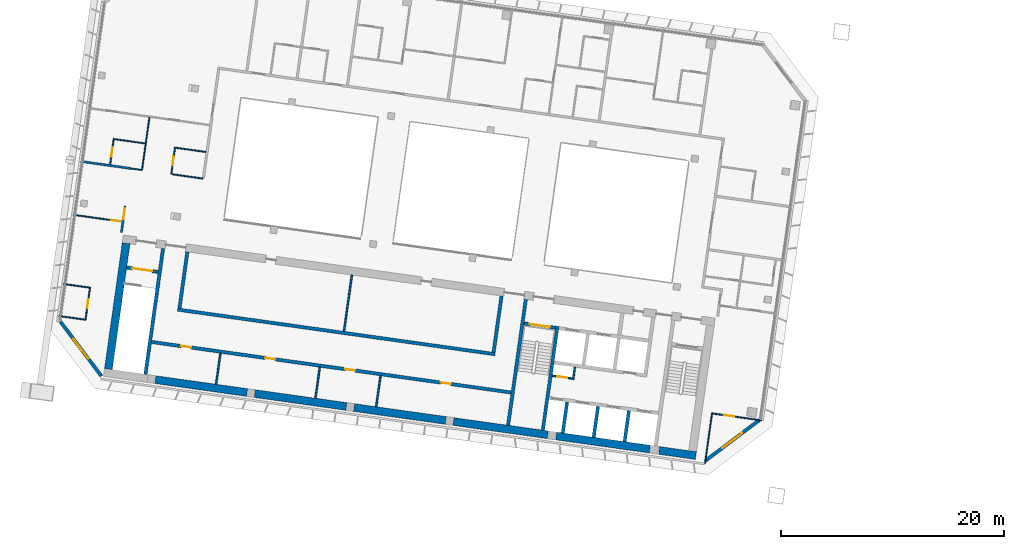
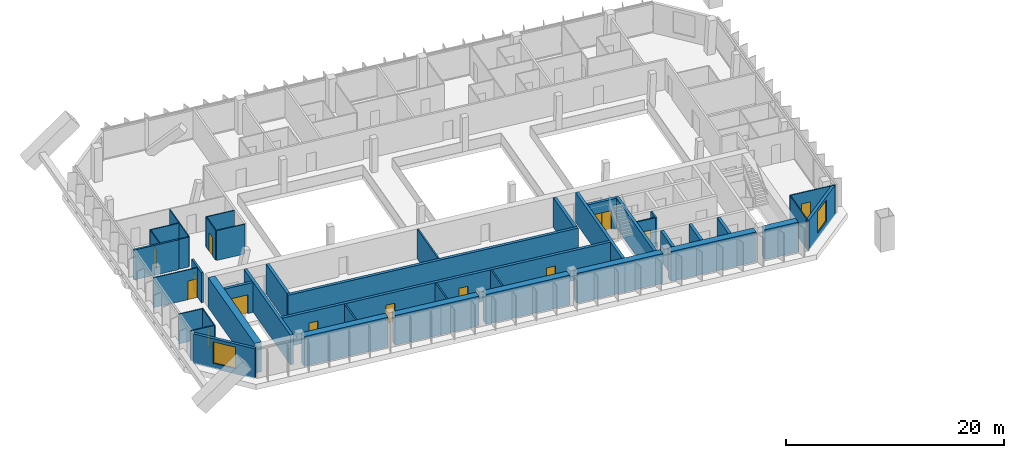
# One storey, part 17 of 32: 42 walls, 13 doors, 2 windows, 15 openings.
"""IFC4 building model written with IfcOpenShell, lengths in metres."""

from ifc_helpers import new_model, si_unit, direction, frame, frame_2d, origin, place, context, subcontext, project, spatial, rectangle, extrude, material, layer, layer_set, type_object, element, fill, save


model = new_model("IFC4")

# Units and contexts
model_context = context("Model", 3, precision=1e-05, world=origin(), true_north=direction((0.0, 1.0)))
body_context = subcontext(model_context, "Body", "Model", "MODEL_VIEW")
ifc_project = project(units=[si_unit("LENGTHUNIT", "METRE"), si_unit("AREAUNIT", "SQUARE_METRE"), si_unit("VOLUMEUNIT", "CUBIC_METRE"), si_unit("PLANEANGLEUNIT", "RADIAN"), si_unit("MASSUNIT", "GRAM", prefix="KILO")], contexts=[model_context])

# Site, building, storey
site_placement = place(None, origin())
site = spatial("IfcSite", under=ifc_project, at=site_placement, CompositionType="ELEMENT")
building_placement = place(site_placement, origin())
building = spatial("IfcBuilding", under=site, at=building_placement, Name="Mirante Cascada Hotel Towers", CompositionType="ELEMENT")
storey_placement = place(building_placement, frame((0.0, 0.0, 176.4)))
storey = spatial("IfcBuildingStorey", under=building, at=storey_placement, Name="L41", CompositionType="ELEMENT", Elevation=176.4)

# Wall
ifc_material_1 = material(Name="Fire-rated plasterboard on metal studs")
ifc_layer_1 = layer(ifc_material_1, 0.2)
ifc_layer_set_1 = layer_set([ifc_layer_1], Name="Compartment wall 200 EI 120")
wall_type_1 = type_object("IfcWallType", Name="Compartment wall 200 EI 120", PredefinedType="PARTITIONING", material=ifc_layer_set_1)
wall_1_placement = place(storey_placement, frame((-92.3869, 6.7679, 0.0), z_axis=(0.0, 0.0, 1.0), x_axis=(0.9902674, -0.1391779, 0.0)))
element("IfcWall", 1, at=wall_1_placement, inside=storey, type_object=wall_type_1, Name="Wall 1-L41-11", PredefinedType="PARTITIONING", context=body_context, shape_type="SweptSolid", body=[
    extrude(rectangle(XDim=4.5, YDim=0.2, at=frame_2d((2.25, 0.0))), origin(), (0.0, 0.0, 1.0), 3.35),
])

# Wall, opening, door
wall_2_placement = place(storey_placement, frame((-88.4039, 2.7747, 0.0), z_axis=(0.0, 0.0, 1.0), x_axis=(-0.1391693, -0.9902686, 0.0)))
wall_2 = element("IfcWall", 2, at=wall_2_placement, inside=storey, type_object=wall_type_1, Name="Wall 1-L41-55", PredefinedType="PARTITIONING", context=body_context, shape_type="SweptSolid", body=[
    extrude(rectangle(XDim=2.4, YDim=0.2, at=frame_2d((1.2, 0.0))), origin(), (0.0, 0.0, 1.0), 3.35),
])
opening_1_placement = place(wall_2_placement, frame((0.2167, 0.0, 0.0)))
opening_1 = element("IfcOpeningElement", 3, at=opening_1_placement, cuts=wall_2, Name="Opening D1-L41-34", PredefinedType="OPENING", context=body_context, shape_type="SweptSolid", body=[
    extrude(rectangle(XDim=1.0, YDim=2.1, at=frame_2d((0.5, 1.05))), frame((0.0, 0.1, 0.0), z_axis=(0.0, -1.0, 0.0), x_axis=(1.0, 0.0, 0.0)), (0.0, 0.0, 1.0), 0.2),
])
ifc_material_2 = material(Name="Fire-rated timber door leaf", Category="wood")
door_type_1 = type_object("IfcDoorType", Name="Entrance door DG1 1000x2100 EI 60", OperationType="SINGLE_SWING_LEFT", PredefinedType="DOOR", material=ifc_material_2)
door_1_placement = place(opening_1_placement, frame((1.0, 0.0, 0.0), z_axis=(0.0, 0.0, 1.0), x_axis=(-1.0, 0.0, 0.0)))
door_1 = element("IfcDoor", 4, at=door_1_placement, inside=storey, type_object=door_type_1, Name="Door D1-L41-34", OperationType="SINGLE_SWING_RIGHT", OverallHeight=2.1, OverallWidth=1.0, PredefinedType="DOOR", context=body_context, shape_type="SweptSolid", body=[
    extrude(rectangle(XDim=1.0, YDim=2.1, at=frame_2d((0.5, 1.05))), frame((0.0, 0.025, 0.0), z_axis=(0.0, -1.0, 0.0), x_axis=(1.0, 0.0, 0.0)), (0.0, 0.0, 1.0), 0.05),
])
fill(opening_1, door_1)

# Wall
ifc_material_3 = material(Name="Masonry block", Category="masonry")
ifc_layer_2 = layer(ifc_material_3, 0.15)
ifc_layer_set_2 = layer_set([ifc_layer_2], Name="Core room partition 150 block EI 30")
wall_type_2 = type_object("IfcWallType", Name="Core room partition 150 block EI 30", PredefinedType="PARTITIONING", material=ifc_layer_set_2)
wall_3_placement = place(storey_placement, frame((-48.2295, -12.793, 0.0), z_axis=(0.0, 0.0, 1.0), x_axis=(0.1391935, 0.9902652, 0.0)))
element("IfcWall", 5, at=wall_3_placement, inside=storey, type_object=wall_type_2, Name="Core wall partition T1 L41 2", PredefinedType="PARTITIONING", context=body_context, shape_type="SweptSolid", body=[
    extrude(rectangle(XDim=1.1251, YDim=0.15, at=frame_2d((0.5626, 0.0))), origin(), (0.0, 0.0, 1.0), 3.35),
])

# Wall, opening, door
wall_4_placement = place(storey_placement, frame((-48.2933, -12.7083, 0.0), z_axis=(0.0, 0.0, 1.0), x_axis=(-0.990268, 0.1391734, 0.0)))
wall_4 = element("IfcWall", 6, at=wall_4_placement, inside=storey, type_object=wall_type_2, Name="Core wall partition T1 L41 3", PredefinedType="PARTITIONING", context=body_context, shape_type="SweptSolid", body=[
    extrude(rectangle(XDim=1.8251, YDim=0.15, at=frame_2d((0.9126, 0.0))), origin(), (0.0, 0.0, 1.0), 3.35),
])
opening_2_placement = place(wall_4_placement, frame((0.4625, 0.0, 0.0)))
opening_2 = element("IfcOpeningElement", 7, at=opening_2_placement, cuts=wall_4, Name="Opening D1-41-C17", PredefinedType="OPENING", context=body_context, shape_type="SweptSolid", body=[
    extrude(rectangle(XDim=0.9, YDim=2.1, at=frame_2d((0.45, 1.05))), frame((0.0, 0.075, 0.0), z_axis=(0.0, -1.0, 0.0), x_axis=(1.0, 0.0, 0.0)), (0.0, 0.0, 1.0), 0.15),
])
ifc_material_4 = material(Name="Hollow metal fire door leaf")
door_type_2 = type_object("IfcDoorType", Name="Fire door 900x2100 FD60", OperationType="NOTDEFINED", PredefinedType="DOOR", material=ifc_material_4)
door_2_placement = place(opening_2_placement, origin())
door_2 = element("IfcDoor", 8, at=door_2_placement, inside=storey, type_object=door_type_2, Name="Riser door T1 L41 17", OperationType="SINGLE_SWING_LEFT", OverallHeight=2.1, OverallWidth=0.9, PredefinedType="DOOR", context=body_context, shape_type="SweptSolid", body=[
    extrude(rectangle(XDim=0.9, YDim=2.1, at=frame_2d((0.45, 1.05))), frame((0.0, 0.025, 0.0), z_axis=(0.0, -1.0, 0.0), x_axis=(1.0, 0.0, 0.0)), (0.0, 0.0, 1.0), 0.05),
])
fill(opening_2, door_2)

# Walls
for number, where, z_axis, x_axis, name in (
    (9, (-65.8911, -15.2337, 0.0), (0.0, 0.0, 1.0), (0.139181, 0.990267, 0.0), "Core wall partition T1 L41 5"),
    (10, (-71.3375, -14.4683, 0.0), (0.0, 0.0, 1.0), (0.139141, 0.9902726, 0.0), "Core wall partition T1 L41 6"),
    (11, (-80.25, -13.2157, 0.0), (0.0, 0.0, 1.0), (0.139181, 0.990267, 0.0), "Core wall partition T1 L41 7"),
):
    element("IfcWall", number, at=place(storey_placement, frame(where, z_axis=z_axis, x_axis=x_axis)), inside=storey, type_object=wall_type_2, Name=name, PredefinedType="PARTITIONING", context=body_context, shape_type="SweptSolid", body=[
        extrude(rectangle(XDim=2.8, YDim=0.15, at=frame_2d((1.4, 0.0))), origin(), (0.0, 0.0, 1.0), 3.35),
    ])
wall_5_placement = place(storey_placement, frame((-68.7773, -8.4662, 0.0), z_axis=(0.0, 0.0, 1.0), x_axis=(0.1391755, 0.9902677, 0.0)))
element("IfcWall", 12, at=wall_5_placement, inside=storey, type_object=wall_type_2, Name="Core wall partition T1 L41 8", PredefinedType="PARTITIONING", context=body_context, shape_type="SweptSolid", body=[
    extrude(rectangle(XDim=5.1, YDim=0.15, at=frame_2d((2.55, 0.0))), origin(), (0.0, 0.0, 1.0), 3.35),
])

# Wall, openings, doors
ifc_material_5 = material(Name="Masonry block", Category="masonry")
ifc_layer_3 = layer(ifc_material_5, 0.3)
ifc_layer_set_3 = layer_set([ifc_layer_3], Name="Core wall 300 block EI 120")
wall_type_3 = type_object("IfcWallType", Name="Core wall 300 block EI 120", PredefinedType="PARTITIONING", material=ifc_layer_set_3)
wall_6_placement = place(storey_placement, frame((-53.7953, -13.9547, 0.0), z_axis=(0.0, 0.0, 1.0), x_axis=(-0.990268, 0.1391733, 0.0)))
wall_6 = element("IfcWall", 13, at=wall_6_placement, inside=storey, type_object=wall_type_3, Name="Core wall partition T1 L41 4", PredefinedType="PARTITIONING", context=body_context, shape_type="SweptSolid", body=[
    extrude(rectangle(XDim=32.5501, YDim=0.3, at=frame_2d((16.275, 0.0))), origin(), (0.0, 0.0, 1.0), 3.35),
])
opening_3_placement = place(wall_6_placement, frame((5.45, 0.0, 0.0)))
opening_3 = element("IfcOpeningElement", 14, at=opening_3_placement, cuts=wall_6, Name="Opening D1-41-C19", PredefinedType="OPENING", context=body_context, shape_type="SweptSolid", body=[
    extrude(rectangle(XDim=0.9, YDim=2.1, at=frame_2d((0.45, 1.05))), frame((0.0, 0.15, 0.0), z_axis=(0.0, -1.0, 0.0), x_axis=(1.0, 0.0, 0.0)), (0.0, 0.0, 1.0), 0.3),
])
opening_4_placement = place(wall_6_placement, frame((14.1, 0.0, 0.0)))
opening_4 = element("IfcOpeningElement", 15, at=opening_4_placement, cuts=wall_6, Name="Opening D1-41-C20", PredefinedType="OPENING", context=body_context, shape_type="SweptSolid", body=[
    extrude(rectangle(XDim=0.9, YDim=2.1, at=frame_2d((0.45, 1.05))), frame((0.0, 0.15, 0.0), z_axis=(0.0, -1.0, 0.0), x_axis=(1.0, 0.0, 0.0)), (0.0, 0.0, 1.0), 0.3),
])
opening_5_placement = place(wall_6_placement, frame((21.35, 0.0, 0.0)))
opening_5 = element("IfcOpeningElement", 16, at=opening_5_placement, cuts=wall_6, Name="Opening D1-41-C21", PredefinedType="OPENING", context=body_context, shape_type="SweptSolid", body=[
    extrude(rectangle(XDim=0.9, YDim=2.1, at=frame_2d((0.45, 1.05))), frame((0.0, 0.15, 0.0), z_axis=(0.0, -1.0, 0.0), x_axis=(1.0, 0.0, 0.0)), (0.0, 0.0, 1.0), 0.3),
])
opening_6_placement = place(wall_6_placement, frame((28.975, 0.0, 0.0)))
opening_6 = element("IfcOpeningElement", 17, at=opening_6_placement, cuts=wall_6, Name="Opening D1-41-C22", PredefinedType="OPENING", context=body_context, shape_type="SweptSolid", body=[
    extrude(rectangle(XDim=0.9, YDim=2.1, at=frame_2d((0.45, 1.05))), frame((0.0, 0.15, 0.0), z_axis=(0.0, -1.0, 0.0), x_axis=(1.0, 0.0, 0.0)), (0.0, 0.0, 1.0), 0.3),
])
door_3_placement = place(opening_3_placement, origin())
door_3 = element("IfcDoor", 18, at=door_3_placement, inside=storey, type_object=door_type_2, Name="Room door T1 L41 19", OperationType="SINGLE_SWING_RIGHT", OverallHeight=2.1, OverallWidth=0.9, PredefinedType="DOOR", context=body_context, shape_type="SweptSolid", body=[
    extrude(rectangle(XDim=0.9, YDim=2.1, at=frame_2d((0.45, 1.05))), frame((0.0, 0.025, 0.0), z_axis=(0.0, -1.0, 0.0), x_axis=(1.0, 0.0, 0.0)), (0.0, 0.0, 1.0), 0.05),
])
fill(opening_3, door_3)
door_4_placement = place(opening_4_placement, origin())
door_4 = element("IfcDoor", 19, at=door_4_placement, inside=storey, type_object=door_type_2, Name="Room door T1 L41 20", OperationType="SINGLE_SWING_RIGHT", OverallHeight=2.1, OverallWidth=0.9, PredefinedType="DOOR", context=body_context, shape_type="SweptSolid", body=[
    extrude(rectangle(XDim=0.9, YDim=2.1, at=frame_2d((0.45, 1.05))), frame((0.0, 0.025, 0.0), z_axis=(0.0, -1.0, 0.0), x_axis=(1.0, 0.0, 0.0)), (0.0, 0.0, 1.0), 0.05),
])
fill(opening_4, door_4)
door_5_placement = place(opening_5_placement, origin())
door_5 = element("IfcDoor", 20, at=door_5_placement, inside=storey, type_object=door_type_2, Name="Room door T1 L41 21", OperationType="SINGLE_SWING_LEFT", OverallHeight=2.1, OverallWidth=0.9, PredefinedType="DOOR", context=body_context, shape_type="SweptSolid", body=[
    extrude(rectangle(XDim=0.9, YDim=2.1, at=frame_2d((0.45, 1.05))), frame((0.0, 0.025, 0.0), z_axis=(0.0, -1.0, 0.0), x_axis=(1.0, 0.0, 0.0)), (0.0, 0.0, 1.0), 0.05),
])
fill(opening_5, door_5)
door_6_placement = place(opening_6_placement, origin())
door_6 = element("IfcDoor", 21, at=door_6_placement, inside=storey, type_object=door_type_2, Name="Room door T1 L41 22", OperationType="SINGLE_SWING_LEFT", OverallHeight=2.1, OverallWidth=0.9, PredefinedType="DOOR", context=body_context, shape_type="SweptSolid", body=[
    extrude(rectangle(XDim=0.9, YDim=2.1, at=frame_2d((0.45, 1.05))), frame((0.0, 0.025, 0.0), z_axis=(0.0, -1.0, 0.0), x_axis=(1.0, 0.0, 0.0)), (0.0, 0.0, 1.0), 0.05),
])
fill(opening_6, door_6)

# Wall, opening, door
ifc_material_6 = material(Name="Plasterboard on metal studs")
ifc_layer_4 = layer(ifc_material_6, 0.1)
ifc_layer_set_4 = layer_set([ifc_layer_4], Name="Partition 100")
wall_type_4 = type_object("IfcWallType", Name="Partition 100", PredefinedType="PARTITIONING", material=ifc_layer_set_4)
wall_7_placement = place(storey_placement, frame((-35.8204, -15.8245, 0.0), z_axis=(0.0, 0.0, 1.0), x_axis=(0.9902691, -0.1391656, 0.0)))
wall_7 = element("IfcWall", 22, at=wall_7_placement, inside=storey, type_object=wall_type_4, Name="Wall 1-L41-01", PredefinedType="PARTITIONING", context=body_context, shape_type="SweptSolid", body=[
    extrude(rectangle(XDim=4.55, YDim=0.1, at=frame_2d((2.275, 0.0))), origin(), (0.0, 0.0, 1.0), 3.35),
])
opening_7_placement = place(wall_7_placement, frame((1.1759, 0.0, 0.0)))
opening_7 = element("IfcOpeningElement", 23, at=opening_7_placement, cuts=wall_7, Name="Opening D1-L41-01", PredefinedType="OPENING", context=body_context, shape_type="SweptSolid", body=[
    extrude(rectangle(XDim=0.9, YDim=2.1, at=frame_2d((0.45, 1.05))), frame((0.0, 0.05, 0.0), z_axis=(0.0, -1.0, 0.0), x_axis=(1.0, 0.0, 0.0)), (0.0, 0.0, 1.0), 0.1),
])
ifc_material_7 = material(Name="Timber door leaf", Category="wood")
door_type_3 = type_object("IfcDoorType", Name="Room door DG3 900x2100", OperationType="SINGLE_SWING_LEFT", PredefinedType="DOOR", material=ifc_material_7)
door_7_placement = place(opening_7_placement, origin())
door_7 = element("IfcDoor", 24, at=door_7_placement, inside=storey, type_object=door_type_3, Name="Door D1-L41-01", OperationType="SINGLE_SWING_LEFT", OverallHeight=2.1, OverallWidth=0.9, PredefinedType="DOOR", context=body_context, shape_type="SweptSolid", body=[
    extrude(rectangle(XDim=0.9, YDim=2.1, at=frame_2d((0.45, 1.05))), frame((0.0, 0.025, 0.0), z_axis=(0.0, -1.0, 0.0), x_axis=(1.0, 0.0, 0.0)), (0.0, 0.0, 1.0), 0.05),
])
fill(opening_7, door_7)

# Walls
for number, where, z_axis, x_axis, name in (
    (25, (-92.0082, -7.4229, 0.0), (0.0, 0.0, 1.0), (-0.9902653, 0.1391929, 0.0), "Wall 1-L41-02"),
    (26, (-93.9317, -4.2241, 0.0), (0.0, 0.0, 1.0), (0.9902712, -0.1391512, 0.0), "Wall 1-L41-03"),
):
    element("IfcWall", number, at=place(storey_placement, frame(where, z_axis=z_axis, x_axis=x_axis)), inside=storey, type_object=wall_type_4, Name=name, PredefinedType="PARTITIONING", context=body_context, shape_type="SweptSolid", body=[
        extrude(rectangle(XDim=2.35, YDim=0.1, at=frame_2d((1.175, 0.0))), origin(), (0.0, 0.0, 1.0), 3.35),
    ])

# Wall, opening, door
wall_8_placement = place(storey_placement, frame((-93.0596, 1.9816, 0.0), z_axis=(0.0, 0.0, 1.0), x_axis=(0.9902701, -0.1391587, 0.0)))
wall_8 = element("IfcWall", 27, at=wall_8_placement, inside=storey, type_object=wall_type_4, Name="Wall 1-L41-05", PredefinedType="PARTITIONING", context=body_context, shape_type="SweptSolid", body=[
    extrude(rectangle(XDim=4.4, YDim=0.1, at=frame_2d((2.2, 0.0))), origin(), (0.0, 0.0, 1.0), 3.35),
])
opening_8_placement = place(wall_8_placement, frame((3.45, 0.0, 0.0)))
opening_8 = element("IfcOpeningElement", 28, at=opening_8_placement, cuts=wall_8, Name="Opening D1-L41-04", PredefinedType="OPENING", context=body_context, shape_type="SweptSolid", body=[
    extrude(rectangle(XDim=0.9, YDim=2.1, at=frame_2d((0.45, 1.05))), frame((0.0, 0.05, 0.0), z_axis=(0.0, -1.0, 0.0), x_axis=(1.0, 0.0, 0.0)), (0.0, 0.0, 1.0), 0.1),
])
door_8_placement = place(opening_8_placement, frame((0.9, 0.0, 0.0), z_axis=(0.0, 0.0, 1.0), x_axis=(-1.0, 0.0, 0.0)))
door_8 = element("IfcDoor", 29, at=door_8_placement, inside=storey, type_object=door_type_3, Name="Door D1-L41-04", OperationType="SINGLE_SWING_RIGHT", OverallHeight=2.1, OverallWidth=0.9, PredefinedType="DOOR", context=body_context, shape_type="SweptSolid", body=[
    extrude(rectangle(XDim=0.9, YDim=2.1, at=frame_2d((0.45, 1.05))), frame((0.0, 0.025, 0.0), z_axis=(0.0, -1.0, 0.0), x_axis=(1.0, 0.0, 0.0)), (0.0, 0.0, 1.0), 0.05),
])
fill(opening_8, door_8)

# Walls
wall_9_placement = place(storey_placement, frame((-84.237, 5.6225, 0.0), z_axis=(0.0, 0.0, 1.0), x_axis=(0.9902708, -0.1391534, 0.0)))
element("IfcWall", 30, at=wall_9_placement, inside=storey, type_object=wall_type_4, Name="Wall 1-L41-09", PredefinedType="PARTITIONING", context=body_context, shape_type="SweptSolid", body=[
    extrude(rectangle(XDim=2.84, YDim=0.1, at=frame_2d((1.42, 0.0))), origin(), (0.0, 0.0, 1.0), 3.35),
])
wall_10_placement = place(storey_placement, frame((-86.9206, 5.9997, 0.0), z_axis=(0.0, 0.0, 1.0), x_axis=(-0.9902662, 0.1391867, 0.0)))
element("IfcWall", 31, at=wall_10_placement, inside=storey, type_object=wall_type_4, Name="Wall 1-L41-10", PredefinedType="PARTITIONING", context=body_context, shape_type="SweptSolid", body=[
    extrude(rectangle(XDim=0.99, YDim=0.1, at=frame_2d((0.495, 0.0))), origin(), (0.0, 0.0, 1.0), 3.35),
])
wall_11_placement = place(storey_placement, frame((-81.1599, 7.6136, 0.0), z_axis=(0.0, 0.0, 1.0), x_axis=(-0.9902656, 0.1391909, 0.0)))
element("IfcWall", 32, at=wall_11_placement, inside=storey, type_object=wall_type_4, Name="Wall 1-L41-12", PredefinedType="PARTITIONING", context=body_context, shape_type="SweptSolid", body=[
    extrude(rectangle(XDim=2.85, YDim=0.1, at=frame_2d((1.425, 0.0))), origin(), (0.0, 0.0, 1.0), 3.35),
])
wall_12_placement = place(storey_placement, frame((-89.4782, 8.7827, 0.0), z_axis=(0.0, 0.0, 1.0), x_axis=(0.9902683, -0.1391714, 0.0)))
element("IfcWall", 33, at=wall_12_placement, inside=storey, type_object=wall_type_4, Name="Wall 1-L41-13", PredefinedType="PARTITIONING", context=body_context, shape_type="SweptSolid", body=[
    extrude(rectangle(XDim=2.9, YDim=0.1, at=frame_2d((1.45, 0.0))), origin(), (0.0, 0.0, 1.0), 3.35),
])
wall_13_placement = place(storey_placement, frame((-36.3972, -20.2877, 0.0), z_axis=(0.0, 0.0, 1.0), x_axis=(0.1391684, 0.9902687, 0.0)))
element("IfcWall", 34, at=wall_13_placement, inside=storey, type_object=wall_type_4, Name="Wall 1-L41-32", PredefinedType="PARTITIONING", context=body_context, shape_type="SweptSolid", body=[
    extrude(rectangle(XDim=4.45, YDim=0.1, at=frame_2d((2.225, 0.0))), origin(), (0.0, 0.0, 1.0), 3.35),
])

# Wall, opening, door
wall_14_placement = place(storey_placement, frame((-83.9396, 7.9538, 0.0), z_axis=(0.0, 0.0, 1.0), x_axis=(-0.1391749, -0.9902678, 0.0)))
wall_14 = element("IfcWall", 35, at=wall_14_placement, inside=storey, type_object=wall_type_4, Name="Wall 1-L41-53", PredefinedType="PARTITIONING", context=body_context, shape_type="SweptSolid", body=[
    extrude(rectangle(XDim=2.3, YDim=0.1, at=frame_2d((1.15, 0.0))), origin(), (0.0, 0.0, 1.0), 3.35),
])
opening_9_placement = place(wall_14_placement, frame((0.75, 0.0, 0.0)))
opening_9 = element("IfcOpeningElement", 36, at=opening_9_placement, cuts=wall_14, Name="Opening D1-L41-33", PredefinedType="OPENING", context=body_context, shape_type="SweptSolid", body=[
    extrude(rectangle(XDim=0.8, YDim=2.1, at=frame_2d((0.4, 1.05))), frame((0.0, 0.05, 0.0), z_axis=(0.0, -1.0, 0.0), x_axis=(1.0, 0.0, 0.0)), (0.0, 0.0, 1.0), 0.1),
])
ifc_material_8 = material(Name="Timber door leaf", Category="wood")
door_type_4 = type_object("IfcDoorType", Name="Bathroom door DG4 800x2100", OperationType="SINGLE_SWING_LEFT", PredefinedType="DOOR", material=ifc_material_8)
door_9_placement = place(opening_9_placement, origin())
door_9 = element("IfcDoor", 37, at=door_9_placement, inside=storey, type_object=door_type_4, Name="Door D1-L41-33", OperationType="SINGLE_SWING_LEFT", OverallHeight=2.1, OverallWidth=0.8, PredefinedType="DOOR", context=body_context, shape_type="SweptSolid", body=[
    extrude(rectangle(XDim=0.8, YDim=2.1, at=frame_2d((0.4, 1.05))), frame((0.0, 0.025, 0.0), z_axis=(0.0, -1.0, 0.0), x_axis=(1.0, 0.0, 0.0)), (0.0, 0.0, 1.0), 0.05),
])
fill(opening_9, door_9)

# Wall
wall_15_placement = place(storey_placement, frame((-86.8839, 6.045, 0.0), z_axis=(0.0, 0.0, 1.0), x_axis=(0.1391642, 0.9902693, 0.0)))
element("IfcWall", 38, at=wall_15_placement, inside=storey, type_object=wall_type_4, Name="Wall 1-L41-54", PredefinedType="PARTITIONING", context=body_context, shape_type="SweptSolid", body=[
    extrude(rectangle(XDim=4.7333, YDim=0.1, at=frame_2d((2.3666, 0.0))), origin(), (0.0, 0.0, 1.0), 3.35),
])

# Wall, opening, door
wall_16_placement = place(storey_placement, frame((-89.7488, 6.4981, 0.0), z_axis=(0.0, 0.0, 1.0), x_axis=(0.1391997, 0.9902643, 0.0)))
wall_16 = element("IfcWall", 39, at=wall_16_placement, inside=storey, type_object=wall_type_4, Name="Wall 1-L41-56", PredefinedType="PARTITIONING", context=body_context, shape_type="SweptSolid", body=[
    extrude(rectangle(XDim=2.25, YDim=0.1, at=frame_2d((1.125, 0.0))), origin(), (0.0, 0.0, 1.0), 3.35),
])
opening_10_placement = place(wall_16_placement, frame((0.7, 0.0, 0.0)))
opening_10 = element("IfcOpeningElement", 40, at=opening_10_placement, cuts=wall_16, Name="Opening D1-L41-35", PredefinedType="OPENING", context=body_context, shape_type="SweptSolid", body=[
    extrude(rectangle(XDim=0.8, YDim=2.1, at=frame_2d((0.4, 1.05))), frame((0.0, 0.05, 0.0), z_axis=(0.0, -1.0, 0.0), x_axis=(1.0, 0.0, 0.0)), (0.0, 0.0, 1.0), 0.1),
])
door_10_placement = place(opening_10_placement, frame((0.8, 0.0, 0.0), z_axis=(0.0, 0.0, 1.0), x_axis=(-1.0, 0.0, 0.0)))
door_10 = element("IfcDoor", 41, at=door_10_placement, inside=storey, type_object=door_type_4, Name="Door D1-L41-35", OperationType="SINGLE_SWING_RIGHT", OverallHeight=2.1, OverallWidth=0.8, PredefinedType="DOOR", context=body_context, shape_type="SweptSolid", body=[
    extrude(rectangle(XDim=0.8, YDim=2.1, at=frame_2d((0.4, 1.05))), frame((0.0, 0.025, 0.0), z_axis=(0.0, -1.0, 0.0), x_axis=(1.0, 0.0, 0.0)), (0.0, 0.0, 1.0), 0.05),
])
fill(opening_10, door_10)

wall_17_placement = place(storey_placement, frame((-91.5481, -4.5086, 0.0), z_axis=(0.0, 0.0, 1.0), x_axis=(-0.139167, -0.9902689, 0.0)))
wall_17 = element("IfcWall", 42, at=wall_17_placement, inside=storey, type_object=wall_type_4, Name="Wall 1-L41-57", PredefinedType="PARTITIONING", context=body_context, shape_type="SweptSolid", body=[
    extrude(rectangle(XDim=3.0, YDim=0.1, at=frame_2d((1.5, 0.0))), origin(), (0.0, 0.0, 1.0), 3.35),
])
opening_11_placement = place(wall_17_placement, frame((1.1, 0.0, 0.0)))
opening_11 = element("IfcOpeningElement", 43, at=opening_11_placement, cuts=wall_17, Name="Opening D1-L41-36", PredefinedType="OPENING", context=body_context, shape_type="SweptSolid", body=[
    extrude(rectangle(XDim=0.8, YDim=2.1, at=frame_2d((0.4, 1.05))), frame((0.0, 0.05, 0.0), z_axis=(0.0, -1.0, 0.0), x_axis=(1.0, 0.0, 0.0)), (0.0, 0.0, 1.0), 0.1),
])
door_11_placement = place(opening_11_placement, origin())
door_11 = element("IfcDoor", 44, at=door_11_placement, inside=storey, type_object=door_type_4, Name="Door D1-L41-36", OperationType="SINGLE_SWING_LEFT", OverallHeight=2.1, OverallWidth=0.8, PredefinedType="DOOR", context=body_context, shape_type="SweptSolid", body=[
    extrude(rectangle(XDim=0.8, YDim=2.1, at=frame_2d((0.4, 1.05))), frame((0.0, 0.025, 0.0), z_axis=(0.0, -1.0, 0.0), x_axis=(1.0, 0.0, 0.0)), (0.0, 0.0, 1.0), 0.05),
])
fill(opening_11, door_11)

# Wall, opening, window
ifc_material_9 = material(Name="Precast concrete C40/50", Category="concrete")
ifc_layer_5 = layer(ifc_material_9, 0.3)
ifc_layer_set_5 = layer_set([ifc_layer_5], Name="Precast concrete C40/50 cladding wall 300")
wall_type_5 = type_object("IfcWallType", Name="Precast concrete C40/50 cladding wall 300", PredefinedType="STANDARD", material=ifc_layer_set_5)
wall_18_placement = place(storey_placement, frame((-90.5299, -12.4841, 0.0), z_axis=(0.0, 0.0, 1.0), x_axis=(-0.6018063, 0.7986421, 0.0)))
wall_18 = element("IfcWall", 45, at=wall_18_placement, inside=storey, type_object=wall_type_5, Name="Corner cladding wall T1 L41 rear outer", PredefinedType="STANDARD", context=body_context, shape_type="SweptSolid", body=[
    extrude(rectangle(XDim=6.1158, YDim=0.3, at=frame_2d((3.0579, 0.0))), origin(), (0.0, 0.0, 1.0), 3.35),
])
opening_12_placement = place(wall_18_placement, frame((1.9578, 0.0, 0.6)))
opening_12 = element("IfcOpeningElement", 46, at=opening_12_placement, cuts=wall_18, Name="Opening W1-41-01", PredefinedType="OPENING", context=body_context, shape_type="SweptSolid", body=[
    extrude(rectangle(XDim=2.2, YDim=2.4, at=frame_2d((1.1, 1.2))), frame((0.0, 0.15, 0.0), z_axis=(0.0, -1.0, 0.0), x_axis=(1.0, 0.0, 0.0)), (0.0, 0.0, 1.0), 0.3),
])
ifc_material_10 = material(Name="Aluminium frame with clear double glazing", Category="aluminium")
window_type = type_object("IfcWindowType", Name="Corner suite window 2200x2400", PartitioningType="DOUBLE_PANEL_VERTICAL", PredefinedType="WINDOW", material=ifc_material_10)
window_1_placement = place(opening_12_placement, origin())
window_1 = element("IfcWindow", 47, at=window_1_placement, inside=storey, type_object=window_type, Name="Window W1-41-01", OverallHeight=2.4, OverallWidth=2.2, PartitioningType="SINGLE_PANEL", PredefinedType="WINDOW", context=body_context, shape_type="SweptSolid", body=[
    extrude(rectangle(XDim=2.2, YDim=2.4, at=frame_2d((1.1, 1.2))), frame((0.0, 0.03, 0.0), z_axis=(0.0, -1.0, 0.0), x_axis=(1.0, 0.0, 0.0)), (0.0, 0.0, 1.0), 0.06),
])
fill(opening_12, window_1)

wall_19_placement = place(storey_placement, frame((-31.5041, -16.4126, 0.0), z_axis=(0.0, 0.0, 1.0), x_axis=(-0.7986343, -0.6018167, 0.0)))
wall_19 = element("IfcWall", 48, at=wall_19_placement, inside=storey, type_object=wall_type_5, Name="Corner cladding wall T1 L41 inner rear", PredefinedType="STANDARD", context=body_context, shape_type="SweptSolid", body=[
    extrude(rectangle(XDim=6.1158, YDim=0.3, at=frame_2d((3.0579, 0.0))), origin(), (0.0, 0.0, 1.0), 3.35),
])
opening_13_placement = place(wall_19_placement, frame((1.9578, 0.0, 0.6)))
opening_13 = element("IfcOpeningElement", 49, at=opening_13_placement, cuts=wall_19, Name="Opening W1-41-04", PredefinedType="OPENING", context=body_context, shape_type="SweptSolid", body=[
    extrude(rectangle(XDim=2.2, YDim=2.4, at=frame_2d((1.1, 1.2))), frame((0.0, 0.15, 0.0), z_axis=(0.0, -1.0, 0.0), x_axis=(1.0, 0.0, 0.0)), (0.0, 0.0, 1.0), 0.3),
])
window_2_placement = place(opening_13_placement, origin())
window_2 = element("IfcWindow", 50, at=window_2_placement, inside=storey, type_object=window_type, Name="Window W1-41-04", OverallHeight=2.4, OverallWidth=2.2, PartitioningType="SINGLE_PANEL", PredefinedType="WINDOW", context=body_context, shape_type="SweptSolid", body=[
    extrude(rectangle(XDim=2.2, YDim=2.4, at=frame_2d((1.1, 1.2))), frame((0.0, 0.03, 0.0), z_axis=(0.0, -1.0, 0.0), x_axis=(1.0, 0.0, 0.0)), (0.0, 0.0, 1.0), 0.06),
])
fill(opening_13, window_2)

# Walls
ifc_material_11 = material(Name="Concrete C50/60", Category="concrete")
ifc_layer_6 = layer(ifc_material_11, 0.3)
ifc_layer_set_6 = layer_set([ifc_layer_6], Name="RC core wall 300 C50/60")
wall_type_6 = type_object("IfcWallType", Name="RC core wall 300 C50/60", PredefinedType="SHEAR", material=ifc_layer_set_6)
wall_20_placement = place(storey_placement, frame((-50.938, -17.3352, 0.0), z_axis=(0.0, 0.0, 1.0), x_axis=(0.1391706, 0.9902684, 0.0)))
element("IfcWall", 51, at=wall_20_placement, inside=storey, type_object=wall_type_6, Name="Core wall T1:L41:6", PredefinedType="SHEAR", context=body_context, shape_type="SweptSolid", body=[
    extrude(rectangle(XDim=9.4, YDim=0.3, at=frame_2d((4.7, 0.0))), origin(), (0.0, 0.0, 1.0), 3.35),
])
wall_21_placement = place(storey_placement, frame((-54.0574, -16.8968, 0.0), z_axis=(0.0, 0.0, 1.0), x_axis=(0.1391761, 0.9902677, 0.0)))
element("IfcWall", 52, at=wall_21_placement, inside=storey, type_object=wall_type_6, Name="Core wall T1:L41:7", PredefinedType="SHEAR", context=body_context, shape_type="SweptSolid", body=[
    extrude(rectangle(XDim=11.3999, YDim=0.3, at=frame_2d((5.7, 0.0))), origin(), (0.0, 0.0, 1.0), 3.35),
])
wall_22_placement = place(storey_placement, frame((-86.5877, -12.325, 0.0), z_axis=(0.0, 0.0, 1.0), x_axis=(0.1391749, 0.9902678, 0.0)))
element("IfcWall", 53, at=wall_22_placement, inside=storey, type_object=wall_type_6, Name="Core wall T1:L41:8", PredefinedType="SHEAR", context=body_context, shape_type="SweptSolid", body=[
    extrude(rectangle(XDim=11.4, YDim=0.3, at=frame_2d((5.7, 0.0))), origin(), (0.0, 0.0, 1.0), 3.35),
])

# Wall, opening, door
wall_23_placement = place(storey_placement, frame((-49.7992, -8.1544, 0.0), z_axis=(0.0, 0.0, 1.0), x_axis=(-0.9902656, 0.1391909, 0.0)))
wall_23 = element("IfcWall", 54, at=wall_23_placement, inside=storey, type_object=wall_type_6, Name="Core wall T1:L41:10", PredefinedType="SHEAR", context=body_context, shape_type="SweptSolid", body=[
    extrude(rectangle(XDim=2.85, YDim=0.3, at=frame_2d((1.425, 0.0))), origin(), (0.0, 0.0, 1.0), 3.35),
])
opening_14_placement = place(wall_23_placement, frame((0.525, 0.0, 0.0)))
opening_14 = element("IfcOpeningElement", 55, at=opening_14_placement, cuts=wall_23, Name="Opening D1-41-C09", PredefinedType="OPENING", context=body_context, shape_type="SweptSolid", body=[
    extrude(rectangle(XDim=1.8, YDim=2.1, at=frame_2d((0.9, 1.05))), frame((0.0, 0.15, 0.0), z_axis=(0.0, -1.0, 0.0), x_axis=(1.0, 0.0, 0.0)), (0.0, 0.0, 1.0), 0.3),
])
ifc_material_12 = material(Name="Hollow metal fire door leaf")
door_type_5 = type_object("IfcDoorType", Name="Double fire door 1800x2100 FD60", OperationType="DOUBLE_DOOR_SINGLE_SWING", PredefinedType="DOOR", material=ifc_material_12)
door_12_placement = place(opening_14_placement, origin())
door_12 = element("IfcDoor", 56, at=door_12_placement, inside=storey, type_object=door_type_5, Name="Stair door T1 L41 9", OperationType="DOUBLE_DOOR_SINGLE_SWING", OverallHeight=2.1, OverallWidth=1.8, PredefinedType="DOOR", context=body_context, shape_type="SweptSolid", body=[
    extrude(rectangle(XDim=0.895, YDim=2.1, at=frame_2d((0.4475, 1.05))), frame((0.0, 0.025, 0.0), z_axis=(0.0, -1.0, 0.0), x_axis=(1.0, 0.0, 0.0)), (0.0, 0.0, 1.0), 0.05),
    extrude(rectangle(XDim=0.895, YDim=2.1, at=frame_2d((1.3525, 1.05))), frame((0.0, 0.025, 0.0), z_axis=(0.0, -1.0, 0.0), x_axis=(1.0, 0.0, 0.0)), (0.0, 0.0, 1.0), 0.05),
])
fill(opening_14, door_12)

wall_24_placement = place(storey_placement, frame((-85.4489, -3.1441, 0.0), z_axis=(0.0, 0.0, 1.0), x_axis=(-0.9902697, 0.1391613, 0.0)))
wall_24 = element("IfcWall", 57, at=wall_24_placement, inside=storey, type_object=wall_type_6, Name="Core wall T1:L41:11", PredefinedType="SHEAR", context=body_context, shape_type="SweptSolid", body=[
    extrude(rectangle(XDim=2.8499, YDim=0.3, at=frame_2d((1.425, 0.0))), origin(), (0.0, 0.0, 1.0), 3.35),
])
opening_15_placement = place(wall_24_placement, frame((0.525, 0.0, 0.0)))
opening_15 = element("IfcOpeningElement", 58, at=opening_15_placement, cuts=wall_24, Name="Opening D1-41-C11", PredefinedType="OPENING", context=body_context, shape_type="SweptSolid", body=[
    extrude(rectangle(XDim=1.8, YDim=2.1, at=frame_2d((0.9, 1.05))), frame((0.0, 0.15, 0.0), z_axis=(0.0, -1.0, 0.0), x_axis=(1.0, 0.0, 0.0)), (0.0, 0.0, 1.0), 0.3),
])
door_13_placement = place(opening_15_placement, origin())
door_13 = element("IfcDoor", 59, at=door_13_placement, inside=storey, type_object=door_type_5, Name="Stair door T1 L41 11", OperationType="DOUBLE_DOOR_SINGLE_SWING", OverallHeight=2.1, OverallWidth=1.8, PredefinedType="DOOR", context=body_context, shape_type="SweptSolid", body=[
    extrude(rectangle(XDim=0.895, YDim=2.1, at=frame_2d((0.4475, 1.05))), frame((0.0, 0.025, 0.0), z_axis=(0.0, -1.0, 0.0), x_axis=(1.0, 0.0, 0.0)), (0.0, 0.0, 1.0), 0.05),
    extrude(rectangle(XDim=0.895, YDim=2.1, at=frame_2d((1.3525, 1.05))), frame((0.0, 0.025, 0.0), z_axis=(0.0, -1.0, 0.0), x_axis=(1.0, 0.0, 0.0)), (0.0, 0.0, 1.0), 0.05),
])
fill(opening_15, door_13)

# Walls
wall_25_placement = place(storey_placement, frame((-43.61, -18.3651, 0.0), z_axis=(0.0, 0.0, 1.0), x_axis=(0.1391459, 0.9902719, 0.0)))
element("IfcWall", 60, at=wall_25_placement, inside=storey, type_object=wall_type_6, Name="Core wall T1:L41:15", PredefinedType="SHEAR", context=body_context, shape_type="SweptSolid", body=[
    extrude(rectangle(XDim=2.7999, YDim=0.3, at=frame_2d((1.4, 0.0))), origin(), (0.0, 0.0, 1.0), 3.35),
])
wall_26_placement = place(storey_placement, frame((-46.3828, -17.9754, 0.0), z_axis=(0.0, 0.0, 1.0), x_axis=(0.139181, 0.990267, 0.0)))
element("IfcWall", 61, at=wall_26_placement, inside=storey, type_object=wall_type_6, Name="Core wall T1:L41:16", PredefinedType="SHEAR", context=body_context, shape_type="SweptSolid", body=[
    extrude(rectangle(XDim=2.8, YDim=0.3, at=frame_2d((1.4, 0.0))), origin(), (0.0, 0.0, 1.0), 3.35),
])
wall_27_placement = place(storey_placement, frame((-49.1555, -17.5857, 0.0), z_axis=(0.0, 0.0, 1.0), x_axis=(0.1391459, 0.9902719, 0.0)))
element("IfcWall", 62, at=wall_27_placement, inside=storey, type_object=wall_type_6, Name="Core wall T1:L41:17", PredefinedType="SHEAR", context=body_context, shape_type="SweptSolid", body=[
    extrude(rectangle(XDim=2.7999, YDim=0.3, at=frame_2d((1.4, 0.0))), origin(), (0.0, 0.0, 1.0), 3.35),
])
wall_28_placement = place(storey_placement, frame((-55.2315, -10.5214, 0.0), z_axis=(0.0, 0.0, 1.0), x_axis=(-0.9902682, 0.1391722, 0.0)))
element("IfcWall", 63, at=wall_28_placement, inside=storey, type_object=wall_type_6, Name="Core wall T1:L41:28", PredefinedType="SHEAR", context=body_context, shape_type="SweptSolid", body=[
    extrude(rectangle(XDim=28.75, YDim=0.3, at=frame_2d((14.375, 0.0))), origin(), (0.0, 0.0, 1.0), 3.35),
])
for number, where, z_axis, x_axis, name in (
    (64, (-55.3592, -10.352, 0.0), (0.0, 0.0, 1.0), (0.1391755, 0.9902677, 0.0), "Core wall T1:L41:29"),
    (65, (-83.5323, -6.3925, 0.0), (0.0, 0.0, 1.0), (0.1391755, 0.9902677, 0.0), "Core wall T1:L41:30"),
):
    element("IfcWall", number, at=place(storey_placement, frame(where, z_axis=z_axis, x_axis=x_axis)), inside=storey, type_object=wall_type_6, Name=name, PredefinedType="SHEAR", context=body_context, shape_type="SweptSolid", body=[
        extrude(rectangle(XDim=5.1, YDim=0.3, at=frame_2d((2.55, 0.0))), origin(), (0.0, 0.0, 1.0), 3.35),
    ])
ifc_material_13 = material(Name="Concrete C50/60", Category="concrete")
ifc_layer_7 = layer(ifc_material_13, 0.7)
ifc_layer_set_7 = layer_set([ifc_layer_7], Name="RC core wall 700 C50/60")
wall_type_7 = type_object("IfcWallType", Name="RC core wall 700 C50/60", PredefinedType="SHEAR", material=ifc_layer_set_7)
wall_29_placement = place(storey_placement, frame((-37.222, -19.6163, 0.0), z_axis=(0.0, 0.0, 1.0), x_axis=(-0.9902712, 0.1391509, 0.0)))
element("IfcWall", 66, at=wall_29_placement, inside=storey, type_object=wall_type_7, Name="Core wall T1:L41:1.1", PredefinedType="SHEAR", context=body_context, shape_type="SweptSolid", body=[
    extrude(rectangle(XDim=3.318, YDim=0.7, at=frame_2d((1.659, 0.0))), origin(), (0.0, 0.0, 1.0), 3.35),
])
wall_30_placement = place(storey_placement, frame((-41.3579, -19.0351, 0.0), z_axis=(0.0, 0.0, 1.0), x_axis=(-0.9902671, 0.1391796, 0.0)))
element("IfcWall", 67, at=wall_30_placement, inside=storey, type_object=wall_type_7, Name="Core wall T1:L41:1.2", PredefinedType="SHEAR", context=body_context, shape_type="SweptSolid", body=[
    extrude(rectangle(XDim=8.4574, YDim=0.7, at=frame_2d((4.2287, 0.0))), origin(), (0.0, 0.0, 1.0), 3.35),
])
wall_31_placement = place(storey_placement, frame((-50.5047, -17.7496, 0.0), z_axis=(0.0, 0.0, 1.0), x_axis=(-0.9902679, 0.1391742, 0.0)))
element("IfcWall", 68, at=wall_31_placement, inside=storey, type_object=wall_type_7, Name="Core wall T1:L41:1.3", PredefinedType="SHEAR", context=body_context, shape_type="SweptSolid", body=[
    extrude(rectangle(XDim=8.5368, YDim=0.7, at=frame_2d((4.2684, 0.0))), origin(), (0.0, 0.0, 1.0), 3.35),
])
for number, where, z_axis, x_axis, name in (
    (69, (-59.6516, -16.4641, 0.0), (0.0, 0.0, 1.0), (-0.990267, 0.139181, 0.0), "Core wall T1:L41:1.4"),
    (70, (-68.564, -15.2115, 0.0), (0.0, 0.0, 1.0), (-0.9902686, 0.1391692, 0.0), "Core wall T1:L41:1.5"),
    (71, (-77.4764, -13.9589, 0.0), (0.0, 0.0, 1.0), (-0.9902686, 0.1391692, 0.0), "Core wall T1:L41:1.6"),
):
    element("IfcWall", number, at=place(storey_placement, frame(where, z_axis=z_axis, x_axis=x_axis)), inside=storey, type_object=wall_type_7, Name=name, PredefinedType="SHEAR", context=body_context, shape_type="SweptSolid", body=[
        extrude(rectangle(XDim=8.3, YDim=0.7, at=frame_2d((4.15, 0.0))), origin(), (0.0, 0.0, 1.0), 3.35),
    ])
wall_32_placement = place(storey_placement, frame((-89.9051, -11.8588, 0.0), z_axis=(0.0, 0.0, 1.0), x_axis=(0.1391749, 0.9902678, 0.0)))
element("IfcWall", 72, at=wall_32_placement, inside=storey, type_object=wall_type_7, Name="Core wall T1:L41:4", PredefinedType="SHEAR", context=body_context, shape_type="SweptSolid", body=[
    extrude(rectangle(XDim=11.4, YDim=0.7, at=frame_2d((5.7, 0.0))), origin(), (0.0, 0.0, 1.0), 3.35),
])

save(model, "model.ifc")
